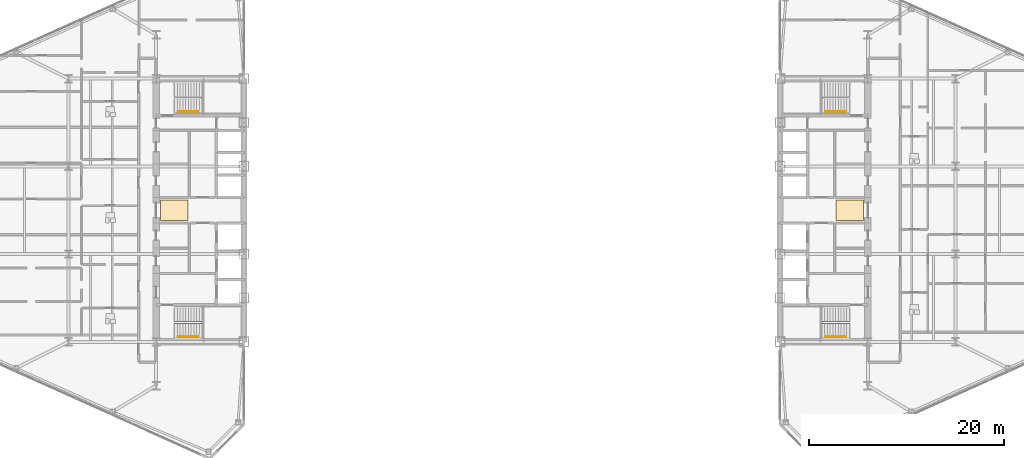
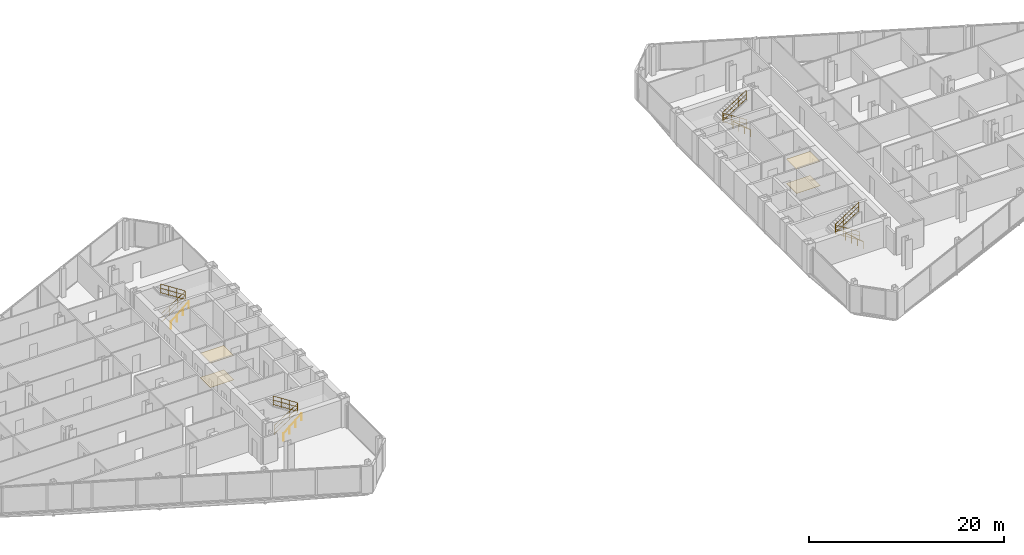
# One storey, part 26 of 27: 8 railings, 4 coverings.
"""IFC4 building model written with IfcOpenShell, lengths in metres."""

from ifc_helpers import new_model, si_unit, direction, frame, origin, origin_2d, place, context, subcontext, project, spatial, polyline, circle, outline, extrude, material, layer, layer_set, type_object, element, save


model = new_model("IFC4")

# Units and contexts
model_context = context("Model", 3, precision=1e-05, world=origin(), true_north=direction((0.0, 1.0)))
body_context = subcontext(model_context, "Body", "Model", "MODEL_VIEW")
ifc_project = project(units=[si_unit("LENGTHUNIT", "METRE"), si_unit("AREAUNIT", "SQUARE_METRE"), si_unit("VOLUMEUNIT", "CUBIC_METRE"), si_unit("PLANEANGLEUNIT", "RADIAN"), si_unit("MASSUNIT", "GRAM", prefix="KILO")], contexts=[model_context])

# Site, building, storey
site_placement = place(None, origin())
site = spatial("IfcSite", under=ifc_project, at=site_placement, CompositionType="ELEMENT")
building_placement = place(site_placement, origin())
building = spatial("IfcBuilding", under=site, at=building_placement, Name="Seokmaru Belvedere", CompositionType="ELEMENT")
storey_placement = place(building_placement, frame((0.0, 0.0, 96.0)))
storey = spatial("IfcBuildingStorey", under=building, at=storey_placement, Name="L25", CompositionType="ELEMENT", Elevation=96.0)

# Coverings
ifc_material_1 = material(Name="Engineered White Oak Timber", Category="wood")
ifc_layer_1 = layer(ifc_material_1, 0.02197265625)
ifc_layer_set_1 = layer_set([ifc_layer_1], Name="Engineered White Oak Timber")
covering_type_1 = type_object("IfcCoveringType", Name="Engineered Oak Residence Floor Finish 22", PredefinedType="FLOORING", material=ifc_layer_set_1)
covering_1_placement = place(storey_placement, origin())
element("IfcCovering", 1, at=covering_1_placement, inside=storey, type_object=covering_type_1, Name="L25 W Foyer Floor Finish", PredefinedType="FLOORING", context=body_context, shape_type="SweptSolid", body=[
    extrude(outline(polyline([(-36.050048828125, -1.050048828125), (-33.25, -1.050048828125), (-33.25, 1.050048828125), (-36.050048828125, 1.050048828125), (-36.050048828125, -1.050048828125)])), origin(), (0.0, 0.0, 1.0), 0.02197265625),
])
covering_2_placement = place(storey_placement, origin())
element("IfcCovering", 2, at=covering_2_placement, inside=storey, type_object=covering_type_1, Name="L25 E Foyer Floor Finish", PredefinedType="FLOORING", context=body_context, shape_type="SweptSolid", body=[
    extrude(outline(polyline([(33.25, -1.050048828125), (36.050048828125, -1.050048828125), (36.050048828125, 1.050048828125), (33.25, 1.050048828125), (33.25, -1.050048828125)])), origin(), (0.0, 0.0, 1.0), 0.02197265625),
])
ifc_material_2 = material(Name="Fire-Rated Gypsum Shaftwall")
ifc_layer_2 = layer(ifc_material_2, 0.02490234375)
ifc_layer_set_2 = layer_set([ifc_layer_2], Name="Fire-Rated Gypsum Shaftwall")
covering_type_2 = type_object("IfcCoveringType", Name="Perforated Acoustic Gypsum Suspended Ceiling 25", PredefinedType="CEILING", material=ifc_layer_set_2)
covering_3_placement = place(storey_placement, frame((0.0, 0.0, 3.030029296875)))
element("IfcCovering", 3, at=covering_3_placement, inside=storey, type_object=covering_type_2, Name="L25 W Lift Foyer Acoustic Ceiling", PredefinedType="CEILING", context=body_context, shape_type="SweptSolid", body=[
    extrude(outline(polyline([(-36.050048828125, -1.050048828125), (-33.25, -1.050048828125), (-33.25, 1.050048828125), (-36.050048828125, 1.050048828125), (-36.050048828125, -1.050048828125)])), origin(), (0.0, 0.0, 1.0), 0.02490234375),
])
covering_4_placement = place(storey_placement, frame((0.0, 0.0, 3.030029296875)))
element("IfcCovering", 4, at=covering_4_placement, inside=storey, type_object=covering_type_2, Name="L25 E Lift Foyer Acoustic Ceiling", PredefinedType="CEILING", context=body_context, shape_type="SweptSolid", body=[
    extrude(outline(polyline([(33.25, -1.050048828125), (36.050048828125, -1.050048828125), (36.050048828125, 1.050048828125), (33.25, 1.050048828125), (33.25, -1.050048828125)])), origin(), (0.0, 0.0, 1.0), 0.02490234375),
])

# Railings
ifc_material_3 = material(Name="Stainless Steel 316", Category="steel")
railing_type_1 = type_object("IfcRailingType", Name="Stainless Steel Wall and Flight Handrail 900", PredefinedType="HANDRAIL", material=ifc_material_3)
for number, where, name in (
    (5, (-34.25, -12.949951171875, 0.0), "L25 Stair ST-W1 Wall Handrail"),
    (6, (-34.25, 10.110107421875, 0.0), "L25 Stair ST-W2 Wall Handrail"),
):
    element("IfcRailing", number, at=place(storey_placement, frame(where)), inside=storey, type_object=railing_type_1, Name=name, PredefinedType="HANDRAIL", context=body_context, shape_type="SweptSolid", body=[
        extrude(circle(Radius=0.02392578125, at=origin_2d()), frame((0.0, 0.0, 0.8759765625), z_axis=(0.759262832861, 0.0, 0.650784104474), x_axis=(0.0, 1.0, 0.0)), (0.0, 0.0, 1.0), 2.765869140625),
        extrude(circle(Radius=0.02099609375, at=origin_2d()), origin(), (0.0, 0.0, 1.0), 0.851806640625),
        extrude(circle(Radius=0.02099609375, at=origin_2d()), frame((0.699951171875, 0.0, 0.60009765625)), (0.0, 0.0, 1.0), 0.851806640625),
        extrude(circle(Radius=0.02099609375, at=origin_2d()), frame((1.400146484375, 0.0, 1.199951171875)), (0.0, 0.0, 1.0), 0.851806640625),
        extrude(circle(Radius=0.02099609375, at=origin_2d()), frame((2.10009765625, 0.0, 1.800048828125)), (0.0, 0.0, 1.0), 0.851806640625),
    ])
for number, where, name in (
    (7, (34.25, -12.949951171875, 0.0), "L25 Stair ST-E1 Wall Handrail"),
    (8, (34.25, 10.110107421875, 0.0), "L25 Stair ST-E2 Wall Handrail"),
):
    element("IfcRailing", number, at=place(storey_placement, frame(where)), inside=storey, type_object=railing_type_1, Name=name, PredefinedType="HANDRAIL", context=body_context, shape_type="SweptSolid", body=[
        extrude(circle(Radius=0.02392578125, at=origin_2d()), frame((0.0, 0.0, 0.8759765625), z_axis=(-0.759262832861, 0.0, 0.650784104474), x_axis=(0.0, -1.0, 0.0)), (0.0, 0.0, 1.0), 2.765869140625),
        extrude(circle(Radius=0.02099609375, at=origin_2d()), origin(), (0.0, 0.0, 1.0), 0.851806640625),
        extrude(circle(Radius=0.02099609375, at=origin_2d()), frame((-0.699951171875, 0.0, 0.60009765625)), (0.0, 0.0, 1.0), 0.851806640625),
        extrude(circle(Radius=0.02099609375, at=origin_2d()), frame((-1.400146484375, 0.0, 1.199951171875)), (0.0, 0.0, 1.0), 0.851806640625),
        extrude(circle(Radius=0.02099609375, at=origin_2d()), frame((-2.10009765625, 0.0, 1.800048828125)), (0.0, 0.0, 1.0), 0.851806640625),
    ])
railing_type_2 = type_object("IfcRailingType", Name="Stair Well and Atrium Steel Guardrail 1200", PredefinedType="GUARDRAIL", material=ifc_material_3)
railing_1_placement = place(storey_placement, frame((-34.60009765625, -11.60009765625, 0.0)))
element("IfcRailing", 9, at=railing_1_placement, inside=storey, type_object=railing_type_2, Name="L25 Stair ST-W1 Inner Well Guardrail", PredefinedType="GUARDRAIL", context=body_context, shape_type="SweptSolid", body=[
    extrude(circle(Radius=0.02392578125, at=origin_2d()), frame((0.0, 0.0, 1.17578125), z_axis=(0.841176092368, 0.0, 0.540761298198), x_axis=(0.0, 1.0, 0.0)), (0.0, 0.0, 1.0), 3.32861328125),
    extrude(circle(Radius=0.02392578125, at=origin_2d()), frame((0.0, 0.0, 0.1201171875), z_axis=(0.841176092368, 0.0, 0.540761298198), x_axis=(0.0, 1.0, 0.0)), (0.0, 0.0, 1.0), 3.32861328125),
    extrude(circle(Radius=0.02392578125, at=origin_2d()), frame((0.0, 0.0, 0.659912109375), z_axis=(0.841176092368, 0.0, 0.540761298198), x_axis=(0.0, 1.0, 0.0)), (0.0, 0.0, 1.0), 3.32861328125),
    extrude(circle(Radius=0.02392578125, at=origin_2d()), frame((2.800048828125, 0.0, 2.97607421875), z_axis=(0.0, 1.0, 0.0), x_axis=(-1.0, 0.0, 0.0)), (0.0, 0.0, 1.0), 0.14013671875),
    extrude(circle(Radius=0.02392578125, at=origin_2d()), frame((2.800048828125, 0.0, 1.920166015625), z_axis=(0.0, 1.0, 0.0), x_axis=(-1.0, 0.0, 0.0)), (0.0, 0.0, 1.0), 0.14013671875),
    extrude(circle(Radius=0.02392578125, at=origin_2d()), frame((2.800048828125, 0.0, 2.4599609375), z_axis=(0.0, 1.0, 0.0), x_axis=(-1.0, 0.0, 0.0)), (0.0, 0.0, 1.0), 0.14013671875),
    extrude(circle(Radius=0.02392578125, at=origin_2d()), frame((2.800048828125, 0.14013671875, 2.97607421875), z_axis=(-0.841176092368, 0.0, 0.540761298198), x_axis=(0.0, -1.0, 0.0)), (0.0, 0.0, 1.0), 3.32861328125),
    extrude(circle(Radius=0.02392578125, at=origin_2d()), frame((2.800048828125, 0.14013671875, 1.920166015625), z_axis=(-0.841176092368, 0.0, 0.540761298198), x_axis=(0.0, -1.0, 0.0)), (0.0, 0.0, 1.0), 3.32861328125),
    extrude(circle(Radius=0.02392578125, at=origin_2d()), frame((2.800048828125, 0.14013671875, 2.4599609375), z_axis=(-0.841176092368, 0.0, 0.540761298198), x_axis=(0.0, -1.0, 0.0)), (0.0, 0.0, 1.0), 3.32861328125),
    extrude(circle(Radius=0.02099609375, at=origin_2d()), origin(), (0.0, 0.0, 1.0), 1.15185546875),
    extrude(circle(Radius=0.02099609375, at=origin_2d()), frame((0.933349609375, 0.0, 0.60009765625)), (0.0, 0.0, 1.0), 1.15185546875),
    extrude(circle(Radius=0.02099609375, at=origin_2d()), frame((1.86669921875, 0.0, 1.199951171875)), (0.0, 0.0, 1.0), 1.15185546875),
    extrude(circle(Radius=0.02099609375, at=origin_2d()), frame((2.800048828125, 0.0, 1.800048828125)), (0.0, 0.0, 1.0), 1.15185546875),
    extrude(circle(Radius=0.02099609375, at=origin_2d()), frame((2.800048828125, 0.14013671875, 1.800048828125)), (0.0, 0.0, 1.0), 1.15185546875),
    extrude(circle(Radius=0.02099609375, at=origin_2d()), frame((1.86669921875, 0.14013671875, 2.400146484375)), (0.0, 0.0, 1.0), 1.15185546875),
    extrude(circle(Radius=0.02099609375, at=origin_2d()), frame((0.933349609375, 0.14013671875, 3.0)), (0.0, 0.0, 1.0), 1.15185546875),
    extrude(circle(Radius=0.02099609375, at=origin_2d()), frame((0.0, 0.14013671875, 3.60009765625)), (0.0, 0.0, 1.0), 1.15185546875),
])
railing_2_placement = place(storey_placement, frame((-34.60009765625, 11.4599609375, 0.0)))
element("IfcRailing", 10, at=railing_2_placement, inside=storey, type_object=railing_type_2, Name="L25 Stair ST-W2 Inner Well Guardrail", PredefinedType="GUARDRAIL", context=body_context, shape_type="SweptSolid", body=[
    extrude(circle(Radius=0.02392578125, at=origin_2d()), frame((0.0, 0.0, 1.17578125), z_axis=(0.841176092368, 0.0, 0.540761298198), x_axis=(0.0, 1.0, 0.0)), (0.0, 0.0, 1.0), 3.32861328125),
    extrude(circle(Radius=0.02392578125, at=origin_2d()), frame((0.0, 0.0, 0.1201171875), z_axis=(0.841176092368, 0.0, 0.540761298198), x_axis=(0.0, 1.0, 0.0)), (0.0, 0.0, 1.0), 3.32861328125),
    extrude(circle(Radius=0.02392578125, at=origin_2d()), frame((0.0, 0.0, 0.659912109375), z_axis=(0.841176092368, 0.0, 0.540761298198), x_axis=(0.0, 1.0, 0.0)), (0.0, 0.0, 1.0), 3.32861328125),
    extrude(circle(Radius=0.02392578125, at=origin_2d()), frame((2.800048828125, 0.0, 2.97607421875), z_axis=(0.0, 1.0, 0.0), x_axis=(-1.0, 0.0, 0.0)), (0.0, 0.0, 1.0), 0.14013671875),
    extrude(circle(Radius=0.02392578125, at=origin_2d()), frame((2.800048828125, 0.0, 1.920166015625), z_axis=(0.0, 1.0, 0.0), x_axis=(-1.0, 0.0, 0.0)), (0.0, 0.0, 1.0), 0.14013671875),
    extrude(circle(Radius=0.02392578125, at=origin_2d()), frame((2.800048828125, 0.0, 2.4599609375), z_axis=(0.0, 1.0, 0.0), x_axis=(-1.0, 0.0, 0.0)), (0.0, 0.0, 1.0), 0.14013671875),
    extrude(circle(Radius=0.02392578125, at=origin_2d()), frame((2.800048828125, 0.14013671875, 2.97607421875), z_axis=(-0.841176092368, 0.0, 0.540761298198), x_axis=(0.0, -1.0, 0.0)), (0.0, 0.0, 1.0), 3.32861328125),
    extrude(circle(Radius=0.02392578125, at=origin_2d()), frame((2.800048828125, 0.14013671875, 1.920166015625), z_axis=(-0.841176092368, 0.0, 0.540761298198), x_axis=(0.0, -1.0, 0.0)), (0.0, 0.0, 1.0), 3.32861328125),
    extrude(circle(Radius=0.02392578125, at=origin_2d()), frame((2.800048828125, 0.14013671875, 2.4599609375), z_axis=(-0.841176092368, 0.0, 0.540761298198), x_axis=(0.0, -1.0, 0.0)), (0.0, 0.0, 1.0), 3.32861328125),
    extrude(circle(Radius=0.02099609375, at=origin_2d()), origin(), (0.0, 0.0, 1.0), 1.15185546875),
    extrude(circle(Radius=0.02099609375, at=origin_2d()), frame((0.933349609375, 0.0, 0.60009765625)), (0.0, 0.0, 1.0), 1.15185546875),
    extrude(circle(Radius=0.02099609375, at=origin_2d()), frame((1.86669921875, 0.0, 1.199951171875)), (0.0, 0.0, 1.0), 1.15185546875),
    extrude(circle(Radius=0.02099609375, at=origin_2d()), frame((2.800048828125, 0.0, 1.800048828125)), (0.0, 0.0, 1.0), 1.15185546875),
    extrude(circle(Radius=0.02099609375, at=origin_2d()), frame((2.800048828125, 0.14013671875, 1.800048828125)), (0.0, 0.0, 1.0), 1.15185546875),
    extrude(circle(Radius=0.02099609375, at=origin_2d()), frame((1.86669921875, 0.14013671875, 2.400146484375)), (0.0, 0.0, 1.0), 1.15185546875),
    extrude(circle(Radius=0.02099609375, at=origin_2d()), frame((0.933349609375, 0.14013671875, 3.0)), (0.0, 0.0, 1.0), 1.15185546875),
    extrude(circle(Radius=0.02099609375, at=origin_2d()), frame((0.0, 0.14013671875, 3.60009765625)), (0.0, 0.0, 1.0), 1.15185546875),
])
railing_3_placement = place(storey_placement, frame((34.60009765625, -11.60009765625, 0.0)))
element("IfcRailing", 11, at=railing_3_placement, inside=storey, type_object=railing_type_2, Name="L25 Stair ST-E1 Inner Well Guardrail", PredefinedType="GUARDRAIL", context=body_context, shape_type="SweptSolid", body=[
    extrude(circle(Radius=0.02392578125, at=origin_2d()), frame((0.0, 0.0, 1.17578125), z_axis=(-0.841176092368, 0.0, 0.540761298198), x_axis=(0.0, -1.0, 0.0)), (0.0, 0.0, 1.0), 3.32861328125),
    extrude(circle(Radius=0.02392578125, at=origin_2d()), frame((0.0, 0.0, 0.1201171875), z_axis=(-0.841176092368, 0.0, 0.540761298198), x_axis=(0.0, -1.0, 0.0)), (0.0, 0.0, 1.0), 3.32861328125),
    extrude(circle(Radius=0.02392578125, at=origin_2d()), frame((0.0, 0.0, 0.659912109375), z_axis=(-0.841176092368, 0.0, 0.540761298198), x_axis=(0.0, -1.0, 0.0)), (0.0, 0.0, 1.0), 3.32861328125),
    extrude(circle(Radius=0.02392578125, at=origin_2d()), frame((-2.800048828125, 0.0, 2.97607421875), z_axis=(0.0, 1.0, 0.0), x_axis=(-1.0, 0.0, 0.0)), (0.0, 0.0, 1.0), 0.14013671875),
    extrude(circle(Radius=0.02392578125, at=origin_2d()), frame((-2.800048828125, 0.0, 1.920166015625), z_axis=(0.0, 1.0, 0.0), x_axis=(-1.0, 0.0, 0.0)), (0.0, 0.0, 1.0), 0.14013671875),
    extrude(circle(Radius=0.02392578125, at=origin_2d()), frame((-2.800048828125, 0.0, 2.4599609375), z_axis=(0.0, 1.0, 0.0), x_axis=(-1.0, 0.0, 0.0)), (0.0, 0.0, 1.0), 0.14013671875),
    extrude(circle(Radius=0.02392578125, at=origin_2d()), frame((-2.800048828125, 0.14013671875, 2.97607421875), z_axis=(0.841176092368, 0.0, 0.540761298198), x_axis=(0.0, 1.0, 0.0)), (0.0, 0.0, 1.0), 3.32861328125),
    extrude(circle(Radius=0.02392578125, at=origin_2d()), frame((-2.800048828125, 0.14013671875, 1.920166015625), z_axis=(0.841176092368, 0.0, 0.540761298198), x_axis=(0.0, 1.0, 0.0)), (0.0, 0.0, 1.0), 3.32861328125),
    extrude(circle(Radius=0.02392578125, at=origin_2d()), frame((-2.800048828125, 0.14013671875, 2.4599609375), z_axis=(0.841176092368, 0.0, 0.540761298198), x_axis=(0.0, 1.0, 0.0)), (0.0, 0.0, 1.0), 3.32861328125),
    extrude(circle(Radius=0.02099609375, at=origin_2d()), origin(), (0.0, 0.0, 1.0), 1.15185546875),
    extrude(circle(Radius=0.02099609375, at=origin_2d()), frame((-0.933349609375, 0.0, 0.60009765625)), (0.0, 0.0, 1.0), 1.15185546875),
    extrude(circle(Radius=0.02099609375, at=origin_2d()), frame((-1.86669921875, 0.0, 1.199951171875)), (0.0, 0.0, 1.0), 1.15185546875),
    extrude(circle(Radius=0.02099609375, at=origin_2d()), frame((-2.800048828125, 0.0, 1.800048828125)), (0.0, 0.0, 1.0), 1.15185546875),
    extrude(circle(Radius=0.02099609375, at=origin_2d()), frame((-2.800048828125, 0.14013671875, 1.800048828125)), (0.0, 0.0, 1.0), 1.15185546875),
    extrude(circle(Radius=0.02099609375, at=origin_2d()), frame((-1.86669921875, 0.14013671875, 2.400146484375)), (0.0, 0.0, 1.0), 1.15185546875),
    extrude(circle(Radius=0.02099609375, at=origin_2d()), frame((-0.933349609375, 0.14013671875, 3.0)), (0.0, 0.0, 1.0), 1.15185546875),
    extrude(circle(Radius=0.02099609375, at=origin_2d()), frame((0.0, 0.14013671875, 3.60009765625)), (0.0, 0.0, 1.0), 1.15185546875),
])
railing_4_placement = place(storey_placement, frame((34.60009765625, 11.4599609375, 0.0)))
element("IfcRailing", 12, at=railing_4_placement, inside=storey, type_object=railing_type_2, Name="L25 Stair ST-E2 Inner Well Guardrail", PredefinedType="GUARDRAIL", context=body_context, shape_type="SweptSolid", body=[
    extrude(circle(Radius=0.02392578125, at=origin_2d()), frame((0.0, 0.0, 1.17578125), z_axis=(-0.841176092368, 0.0, 0.540761298198), x_axis=(0.0, -1.0, 0.0)), (0.0, 0.0, 1.0), 3.32861328125),
    extrude(circle(Radius=0.02392578125, at=origin_2d()), frame((0.0, 0.0, 0.1201171875), z_axis=(-0.841176092368, 0.0, 0.540761298198), x_axis=(0.0, -1.0, 0.0)), (0.0, 0.0, 1.0), 3.32861328125),
    extrude(circle(Radius=0.02392578125, at=origin_2d()), frame((0.0, 0.0, 0.659912109375), z_axis=(-0.841176092368, 0.0, 0.540761298198), x_axis=(0.0, -1.0, 0.0)), (0.0, 0.0, 1.0), 3.32861328125),
    extrude(circle(Radius=0.02392578125, at=origin_2d()), frame((-2.800048828125, 0.0, 2.97607421875), z_axis=(0.0, 1.0, 0.0), x_axis=(-1.0, 0.0, 0.0)), (0.0, 0.0, 1.0), 0.14013671875),
    extrude(circle(Radius=0.02392578125, at=origin_2d()), frame((-2.800048828125, 0.0, 1.920166015625), z_axis=(0.0, 1.0, 0.0), x_axis=(-1.0, 0.0, 0.0)), (0.0, 0.0, 1.0), 0.14013671875),
    extrude(circle(Radius=0.02392578125, at=origin_2d()), frame((-2.800048828125, 0.0, 2.4599609375), z_axis=(0.0, 1.0, 0.0), x_axis=(-1.0, 0.0, 0.0)), (0.0, 0.0, 1.0), 0.14013671875),
    extrude(circle(Radius=0.02392578125, at=origin_2d()), frame((-2.800048828125, 0.14013671875, 2.97607421875), z_axis=(0.841176092368, 0.0, 0.540761298198), x_axis=(0.0, 1.0, 0.0)), (0.0, 0.0, 1.0), 3.32861328125),
    extrude(circle(Radius=0.02392578125, at=origin_2d()), frame((-2.800048828125, 0.14013671875, 1.920166015625), z_axis=(0.841176092368, 0.0, 0.540761298198), x_axis=(0.0, 1.0, 0.0)), (0.0, 0.0, 1.0), 3.32861328125),
    extrude(circle(Radius=0.02392578125, at=origin_2d()), frame((-2.800048828125, 0.14013671875, 2.4599609375), z_axis=(0.841176092368, 0.0, 0.540761298198), x_axis=(0.0, 1.0, 0.0)), (0.0, 0.0, 1.0), 3.32861328125),
    extrude(circle(Radius=0.02099609375, at=origin_2d()), origin(), (0.0, 0.0, 1.0), 1.15185546875),
    extrude(circle(Radius=0.02099609375, at=origin_2d()), frame((-0.933349609375, 0.0, 0.60009765625)), (0.0, 0.0, 1.0), 1.15185546875),
    extrude(circle(Radius=0.02099609375, at=origin_2d()), frame((-1.86669921875, 0.0, 1.199951171875)), (0.0, 0.0, 1.0), 1.15185546875),
    extrude(circle(Radius=0.02099609375, at=origin_2d()), frame((-2.800048828125, 0.0, 1.800048828125)), (0.0, 0.0, 1.0), 1.15185546875),
    extrude(circle(Radius=0.02099609375, at=origin_2d()), frame((-2.800048828125, 0.14013671875, 1.800048828125)), (0.0, 0.0, 1.0), 1.15185546875),
    extrude(circle(Radius=0.02099609375, at=origin_2d()), frame((-1.86669921875, 0.14013671875, 2.400146484375)), (0.0, 0.0, 1.0), 1.15185546875),
    extrude(circle(Radius=0.02099609375, at=origin_2d()), frame((-0.933349609375, 0.14013671875, 3.0)), (0.0, 0.0, 1.0), 1.15185546875),
    extrude(circle(Radius=0.02099609375, at=origin_2d()), frame((0.0, 0.14013671875, 3.60009765625)), (0.0, 0.0, 1.0), 1.15185546875),
])

save(model, "model.ifc")
